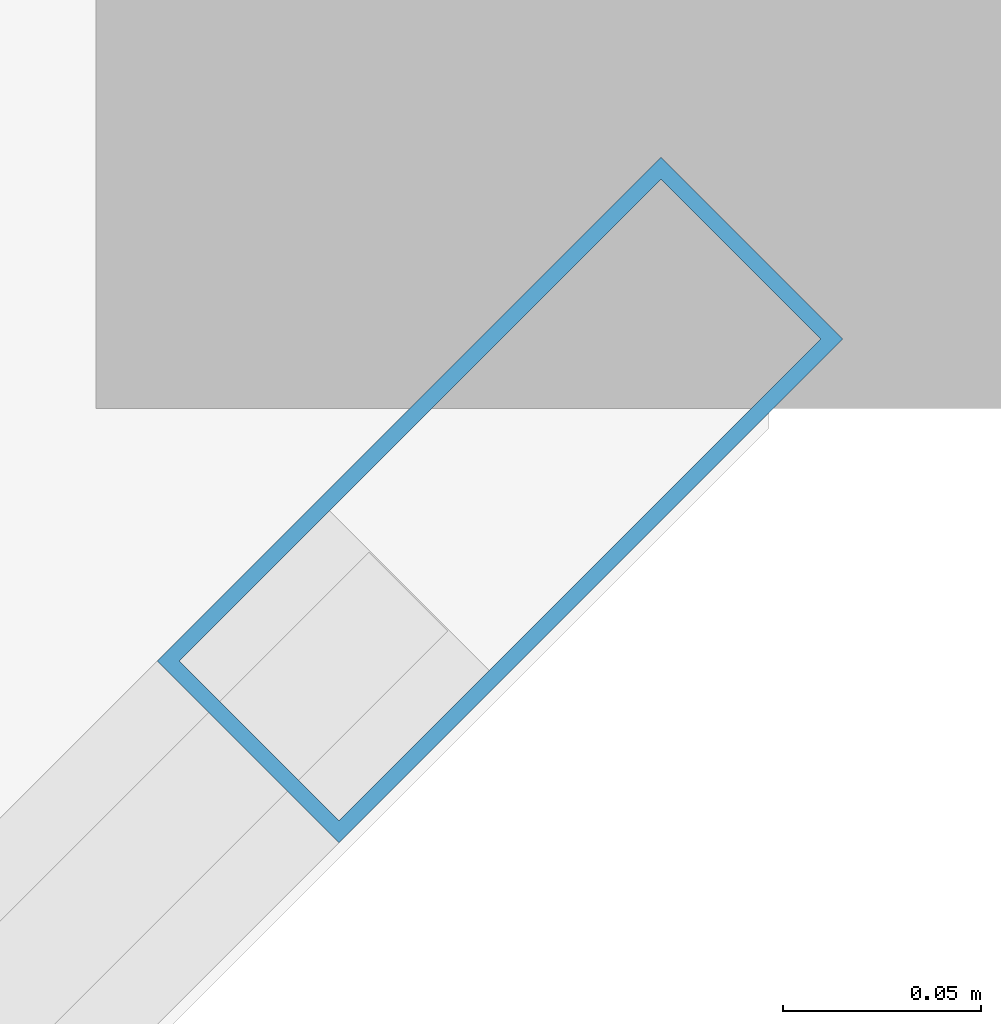
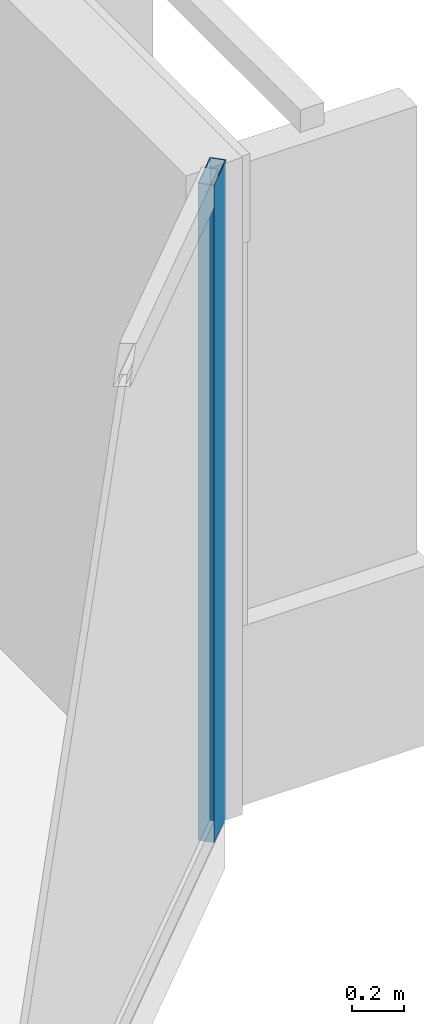
# One storey, part 15 of 29: 1 member, 1 element without a shape of its own.
"""IFC4 building model written with IfcOpenShell, lengths in metres."""

from ifc_helpers import new_model, si_unit, direction, frame, origin, origin_2d, place, context, subcontext, project, spatial, hollow_rectangle, extrude, material, layer, layer_set, material_profile, profile_set, type_object, element, aggregate, save


model = new_model("IFC4")

# Units and contexts
model_context = context("Model", 3, precision=1e-05, world=origin(), true_north=direction((0.0, 1.0)))
body_context = subcontext(model_context, "Body", "Model", "MODEL_VIEW")
ifc_project = project(units=[si_unit("LENGTHUNIT", "METRE"), si_unit("AREAUNIT", "SQUARE_METRE"), si_unit("VOLUMEUNIT", "CUBIC_METRE"), si_unit("PLANEANGLEUNIT", "RADIAN"), si_unit("MASSUNIT", "GRAM", prefix="KILO")], contexts=[model_context])

# Site, building, storey
site_placement = place(None, origin())
site = spatial("IfcSite", under=ifc_project, at=site_placement, CompositionType="ELEMENT")
building_placement = place(site_placement, origin())
building = spatial("IfcBuilding", under=site, at=building_placement, Name="Tanjung Sevakor Pilgrim Tower", CompositionType="ELEMENT")
storey_placement = place(building_placement, frame((0.0, 0.0, 148.5)))
storey = spatial("IfcBuildingStorey", under=building, at=storey_placement, Name="L41", CompositionType="ELEMENT", Elevation=148.5)

# Curtain wall, member
ifc_material_1 = material(Name="Aluminium 6063-T6 and Low-E Glass", Category="aluminium")
ifc_layer = layer(ifc_material_1, 0.179931640625)
ifc_layer_set = layer_set([ifc_layer], Name="CW-SYS-CHAM")
curtain_wall_type = type_object("IfcCurtainWallType", Name="CW-SYS-CHAM", PredefinedType="NOTDEFINED", material=ifc_layer_set)
curtain_wall_placement = place(storey_placement, origin())
curtain_wall = element("IfcCurtainWall", 1, at=curtain_wall_placement, inside=storey, type_object=curtain_wall_type, Name="L41 Curtain Wall CW-CHM-L41-MAIN-5", PredefinedType="NOTDEFINED")
ifc_material_2 = material(Name="Aluminium 6063-T6", Category="aluminium")
ifc_material_profile = material_profile(ifc_material_2, hollow_rectangle(XDim=0.06494140625, YDim=0.179931640625, WallThickness=0.00390625, at=origin_2d()))
ifc_profile_set = profile_set([ifc_material_profile], Name="Aluminium 6063-T6")
member_type = type_object("IfcMemberType", Name="TYPE-CWM-1", PredefinedType="MULLION", material=ifc_profile_set)
member_placement = place(storey_placement, frame((99.85205078125, 16.12890625, 0.0), z_axis=(0.0, 0.0, 1.0), x_axis=(-0.707106781187, 0.707106781187, 0.0)))
member = element("IfcMember", 2, at=member_placement, type_object=member_type, Name="CW-CHM mullion 2", PredefinedType="MULLION", context=body_context, shape_type="SweptSolid", body=[
    extrude(hollow_rectangle(XDim=0.06494140625, YDim=0.179931640625, WallThickness=0.00390625, at=origin_2d()), origin(), (0.0, 0.0, 1.0), 3.080078125),
])
aggregate(curtain_wall, [member])

save(model, "model.ifc")
